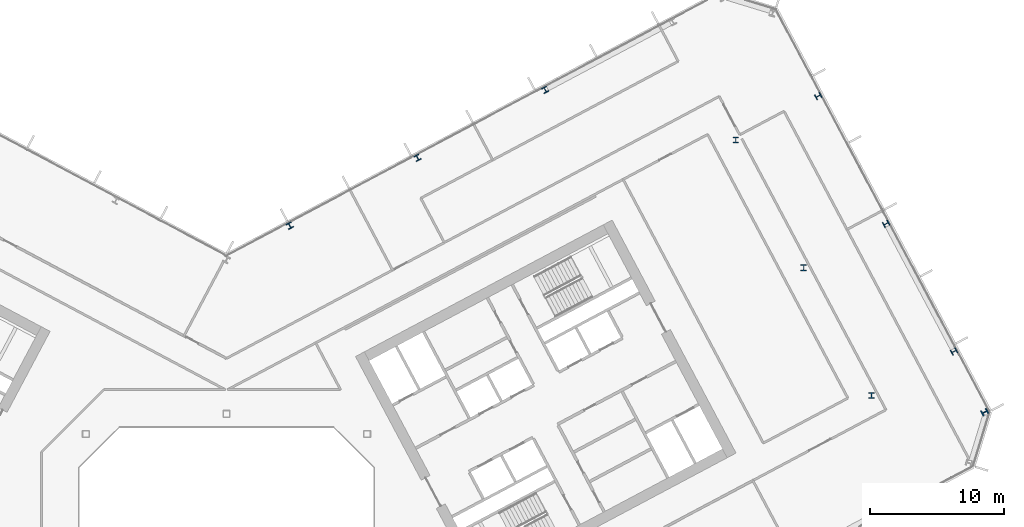
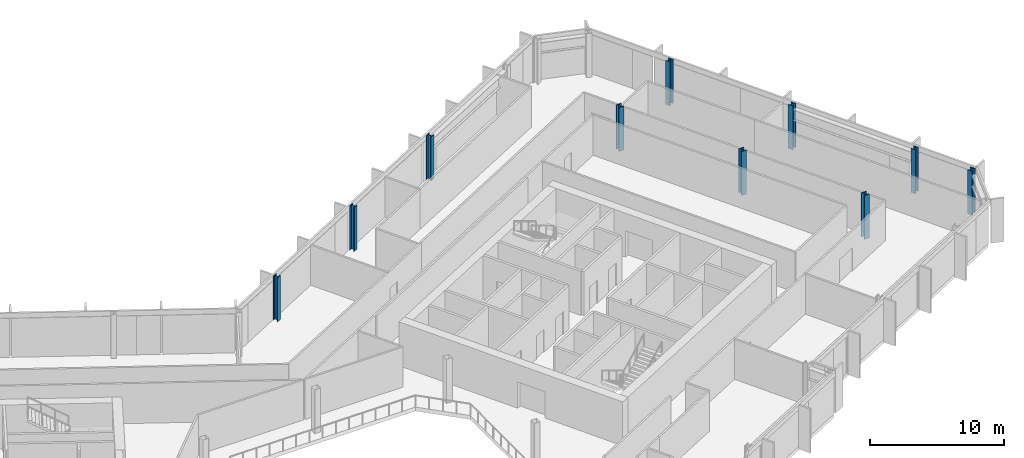
# One storey, part 7 of 28: 10 columns.
"""IFC4 building model written with IfcOpenShell, lengths in metres."""

from ifc_helpers import new_model, si_unit, direction, frame, origin, origin_2d, place, context, subcontext, project, spatial, i_section, extrude, material, material_profile, profile_set, type_object, element, save


model = new_model("IFC4")

# Units and contexts
model_context = context("Model", 3, precision=1e-05, world=origin(), true_north=direction((0.0, 1.0)))
body_context = subcontext(model_context, "Body", "Model", "MODEL_VIEW")
ifc_project = project(units=[si_unit("LENGTHUNIT", "METRE"), si_unit("AREAUNIT", "SQUARE_METRE"), si_unit("VOLUMEUNIT", "CUBIC_METRE"), si_unit("PLANEANGLEUNIT", "RADIAN"), si_unit("MASSUNIT", "GRAM", prefix="KILO")], contexts=[model_context])

# Site, building, storey
site_placement = place(None, origin())
site = spatial("IfcSite", under=ifc_project, at=site_placement, CompositionType="ELEMENT")
building_placement = place(site_placement, origin())
building = spatial("IfcBuilding", under=site, at=building_placement, Name="Cormorant Relay Tower", CompositionType="ELEMENT")
storey_placement = place(building_placement, frame((0.0, 0.0, 130.199951171875)))
storey = spatial("IfcBuildingStorey", under=building, at=storey_placement, Name="L26", CompositionType="ELEMENT", Elevation=130.199951171875)

# Columns
ifc_material_1 = material(Name="Steel ASTM A992 (Fy 345 MPa)", Category="steel")
ifc_material_profile_1 = material_profile(ifc_material_1, i_section(OverallWidth=0.41162109375, OverallDepth=0.434326171875, WebThickness=0.035888671875, FlangeThickness=0.057373046875, FilletRadius=0.01513671875, at=origin_2d()), Name="W360x463")
ifc_profile_set_1 = profile_set([ifc_material_profile_1], Name="Steel ASTM A992 (Fy 345 MPa)")
column_type_1 = type_object("IfcColumnType", Name="Column W360x463", PredefinedType="COLUMN", material=ifc_profile_set_1)
for number, where, z_axis, x_axis, name in (
    (1, (54.321044921875, 16.65087890625, 0.0), (0.0, 0.0, 1.0), (-0.469471562786, 0.882947592859, 0.0), "Column L26-029"),
    (2, (4.72509765625, 26.047119140625, 0.0), (0.0, 0.0, 1.0), (-0.882947592859, -0.469471562786, 0.0), "Column L26-034"),
    (3, (49.2509765625, 26.18701171875, 0.0), (0.0, 0.0, 1.0), (-0.469471562786, 0.882947592859, 0.0), "Column L26-035"),
    (4, (14.260986328125, 31.116943359375, 0.0), (0.0, 0.0, 1.0), (-0.882947592859, -0.469471562786, 0.0), "Column L26-038"),
    (5, (44.180908203125, 35.722900390625, 0.0), (0.0, 0.0, 1.0), (-0.469471562786, 0.882947592859, 0.0), "Column L26-042"),
    (6, (23.7958984375, 36.18798828125, 0.0), (0.0, 0.0, 1.0), (-0.882947592859, -0.469471562786, 0.0), "Column L26-043"),
):
    element("IfcColumn", number, at=place(storey_placement, frame(where, z_axis=z_axis, x_axis=x_axis)), inside=storey, type_object=column_type_1, Name=name, PredefinedType="COLUMN", context=body_context, shape_type="SweptSolid", body=[
        extrude(i_section(OverallWidth=0.41162109375, OverallDepth=0.434326171875, WebThickness=0.035888671875, FlangeThickness=0.057373046875, FilletRadius=0.01513671875, at=origin_2d()), origin(), (0.0, 0.0, 1.0), 4.0),
    ])
ifc_material_2 = material(Name="Steel ASTM A992 (Fy 345 MPa)", Category="steel")
ifc_material_profile_2 = material_profile(ifc_material_2, i_section(OverallWidth=0.42431640625, OverallDepth=0.47509765625, WebThickness=0.0478515625, FlangeThickness=0.0771484375, FilletRadius=0.014892578125, at=origin_2d()), Name="W360x634")
ifc_profile_set_2 = profile_set([ifc_material_profile_2], Name="Steel ASTM A992 (Fy 345 MPa)")
column_type_2 = type_object("IfcColumnType", Name="Column W360x634", PredefinedType="COLUMN", material=ifc_profile_set_2)
for number, where, z_axis, x_axis, name in (
    (7, (56.60791015625, 12.1298828125, 0.0), (0.0, 0.0, 1.0), (-0.469471562786, 0.882947592859, 0.0), "Column L26-026"),
    (8, (48.157958984375, 13.3740234375, 0.0), (0.0, 0.0, 1.0), (1.0, 0.0, 0.0), "Column L26-027"),
    (9, (43.087890625, 22.909912109375, 0.0), (0.0, 0.0, 1.0), (1.0, 0.0, 0.0), "Column L26-031"),
    (10, (38.01806640625, 32.446044921875, 0.0), (0.0, 0.0, 1.0), (1.0, 0.0, 0.0), "Column L26-039"),
):
    element("IfcColumn", number, at=place(storey_placement, frame(where, z_axis=z_axis, x_axis=x_axis)), inside=storey, type_object=column_type_2, Name=name, PredefinedType="COLUMN", context=body_context, shape_type="SweptSolid", body=[
        extrude(i_section(OverallWidth=0.42431640625, OverallDepth=0.47509765625, WebThickness=0.0478515625, FlangeThickness=0.0771484375, FilletRadius=0.014892578125, at=origin_2d()), origin(), (0.0, 0.0, 1.0), 4.0),
    ])

save(model, "model.ifc")
